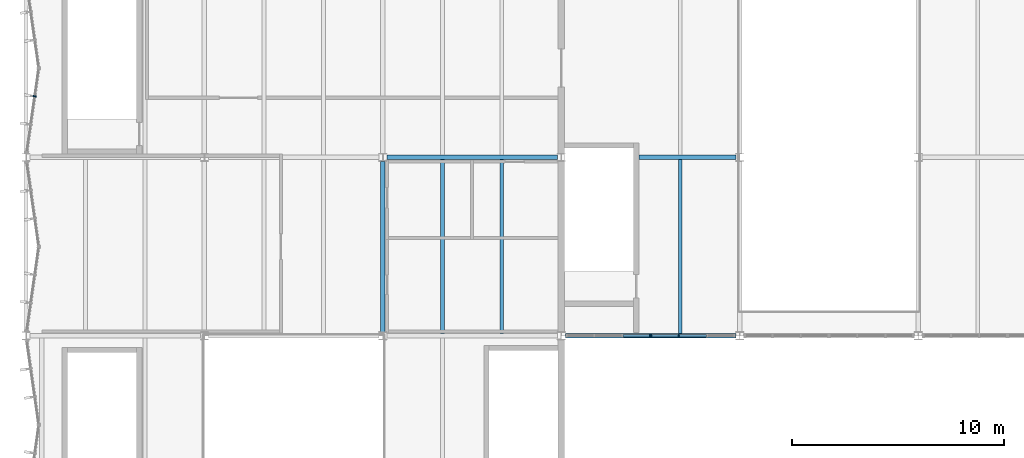
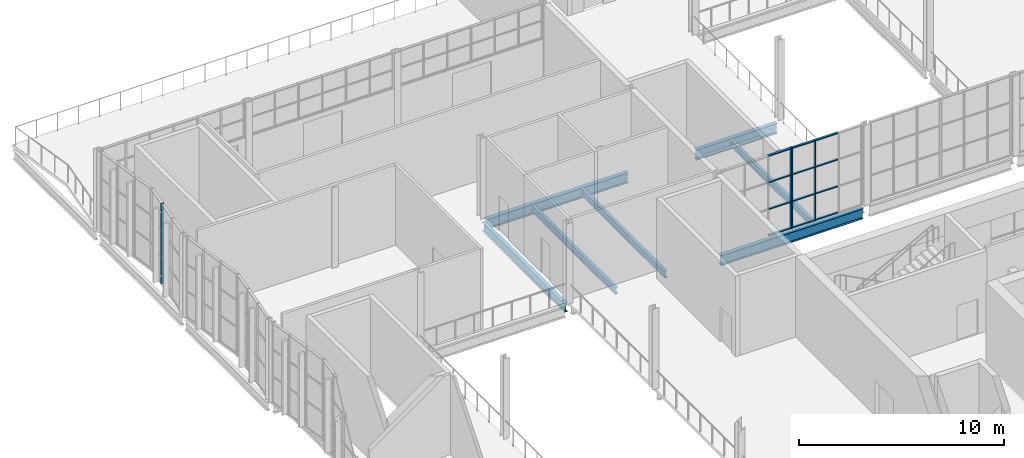
# One storey, part 37 of 116: 16 members, 7 beams, 3 elements without a shape of their own.
"""IFC4 building model written with IfcOpenShell, lengths in metres."""

from ifc_helpers import new_model, si_unit, direction, frame, origin, origin_2d, place, context, subcontext, project, spatial, rectangle, i_section, extrude, material, material_profile, profile_set, type_object, element, aggregate, save


model = new_model("IFC4")

# Units and contexts
model_context = context("Model", 3, precision=1e-05, world=origin(), true_north=direction((0.0, 1.0)))
body_context = subcontext(model_context, "Body", "Model", "MODEL_VIEW")
ifc_project = project(units=[si_unit("LENGTHUNIT", "METRE"), si_unit("AREAUNIT", "SQUARE_METRE"), si_unit("VOLUMEUNIT", "CUBIC_METRE"), si_unit("PLANEANGLEUNIT", "RADIAN"), si_unit("MASSUNIT", "GRAM", prefix="KILO")], contexts=[model_context])

# Site, building, storey
site_placement = place(None, origin())
site = spatial("IfcSite", under=ifc_project, at=site_placement, CompositionType="ELEMENT")
building_placement = place(site_placement, origin())
building = spatial("IfcBuilding", under=site, at=building_placement, Name="Ljudholm Concert House", CompositionType="ELEMENT")
storey_placement = place(building_placement, frame((0.0, 0.0, 10.199951171875)))
storey = spatial("IfcBuildingStorey", under=building, at=storey_placement, Name="L02", CompositionType="ELEMENT", Elevation=10.199951171875)

# Curtain wall, member
ifc_material_1 = material(Name="Aluminium curtain wall with impact-rated laminated glass", Category="aluminium")
curtain_wall_type = type_object("IfcCurtainWallType", Name="CURTAIN WALL 1400", PredefinedType="NOTDEFINED", material=ifc_material_1)
curtain_wall_1_placement = place(storey_placement, origin())
curtain_wall_1 = element("IfcCurtainWall", 1, at=curtain_wall_1_placement, inside=storey, type_object=curtain_wall_type, Name="Facade curtain wall", PredefinedType="NOTDEFINED")
ifc_material_2 = material(Name="Aluminium extrusion", Category="aluminium")
ifc_material_profile_1 = material_profile(ifc_material_2, rectangle(XDim=0.159912109375, YDim=0.06005859375, at=origin_2d()), Name="MULLION 60x160")
ifc_profile_set_1 = profile_set([ifc_material_profile_1], Name="Aluminium extrusion")
member_type_1 = type_object("IfcMemberType", Name="MULLION 60x160", PredefinedType="MULLION", material=ifc_profile_set_1)
member_1_placement = place(storey_placement, frame((4.410400390625, 116.072509765625, 0.0), z_axis=(0.0, 0.0, 1.0), x_axis=(-0.989949493647, 0.141421356338, 0.0)))
member_1 = element("IfcMember", 2, at=member_1_placement, type_object=member_type_1, Name="Mullion", PredefinedType="MULLION", context=body_context, shape_type="SweptSolid", body=[
    extrude(rectangle(XDim=0.159912109375, YDim=0.06005859375, at=origin_2d()), origin(), (0.0, 0.0, 1.0), 4.800048828125),
])
aggregate(curtain_wall_1, [member_1])

curtain_wall_2_placement = place(storey_placement, origin())
curtain_wall_2 = element("IfcCurtainWall", 3, at=curtain_wall_2_placement, inside=storey, type_object=curtain_wall_type, Name="Winter garden curtain wall", PredefinedType="NOTDEFINED")
member_2_placement = place(storey_placement, frame((33.3701171875, 104.800048828125, 0.0), z_axis=(0.0, 0.0, 1.0), x_axis=(0.0, 1.0, 0.0)))
member_2 = element("IfcMember", 4, at=member_2_placement, type_object=member_type_1, Name="Mullion", PredefinedType="MULLION", context=body_context, shape_type="SweptSolid", body=[
    extrude(rectangle(XDim=0.159912109375, YDim=0.06005859375, at=origin_2d()), origin(), (0.0, 0.0, 1.0), 4.800048828125),
])

# Curtain wall, members
curtain_wall_3_placement = place(storey_placement, origin())
curtain_wall_3 = element("IfcCurtainWall", 5, at=curtain_wall_3_placement, inside=storey, type_object=curtain_wall_type, Name="Winter garden curtain wall", PredefinedType="NOTDEFINED")
member_3_placement = place(storey_placement, frame((33.429931640625, 104.800048828125, 0.0), z_axis=(0.0, 0.0, 1.0), x_axis=(0.0, 1.0, 0.0)))
member_3 = element("IfcMember", 6, at=member_3_placement, type_object=member_type_1, Name="Mullion", PredefinedType="MULLION", context=body_context, shape_type="SweptSolid", body=[
    extrude(rectangle(XDim=0.159912109375, YDim=0.06005859375, at=origin_2d()), origin(), (0.0, 0.0, 1.0), 4.800048828125),
])
member_4_placement = place(storey_placement, frame((34.7265625, 104.800048828125, 0.0), z_axis=(0.0, 0.0, 1.0), x_axis=(0.0, 1.0, 0.0)))
member_4 = element("IfcMember", 7, at=member_4_placement, type_object=member_type_1, Name="Mullion", PredefinedType="MULLION", context=body_context, shape_type="SweptSolid", body=[
    extrude(rectangle(XDim=0.159912109375, YDim=0.06005859375, at=origin_2d()), origin(), (0.0, 0.0, 1.0), 4.800048828125),
])

# Beams
ifc_material_3 = material(Name="Steel ASTM A992", Category="steel")
ifc_material_profile_2 = material_profile(ifc_material_3, i_section(OverallWidth=0.177734375, OverallDepth=0.406494140625, WebThickness=0.0078125, FlangeThickness=0.012939453125, FilletRadius=0.01025390625, at=origin_2d()), Name="W16X40")
ifc_profile_set_2 = profile_set([ifc_material_profile_2], Name="Steel ASTM A992")
beam_type_1 = type_object("IfcBeamType", Name="STEEL BEAM W16X40", PredefinedType="BEAM", material=ifc_profile_set_2)
for number, where, z_axis, x_axis, name in (
    (8, (23.60009765625, 104.91455078125, -0.383056640625), (0.0, 1.0, 0.0), (-1.0, 0.0, 0.0), "Secondary beam"),
    (9, (26.39990234375, 104.91455078125, -0.383056640625), (0.0, 1.0, 0.0), (-1.0, 0.0, 0.0), "Secondary beam"),
    (10, (34.800048828125, 104.91455078125, -0.383056640625), (0.0, 1.0, 0.0), (-1.0, 0.0, 0.0), "Secondary beam"),
):
    element("IfcBeam", number, at=place(storey_placement, frame(where, z_axis=z_axis, x_axis=x_axis)), inside=storey, type_object=beam_type_1, Name=name, PredefinedType="BEAM", context=body_context, shape_type="SweptSolid", body=[
        extrude(i_section(OverallWidth=0.177734375, OverallDepth=0.406494140625, WebThickness=0.0078125, FlangeThickness=0.012939453125, FilletRadius=0.01025390625, at=origin_2d()), origin(), (0.0, 0.0, 1.0), 8.1708984375),
    ])
ifc_material_4 = material(Name="Steel ASTM A992", Category="steel")
ifc_material_profile_3 = material_profile(ifc_material_4, i_section(OverallWidth=0.209228515625, OverallDepth=0.533447265625, WebThickness=0.01025390625, FlangeThickness=0.015625, FilletRadius=0.012939453125, at=origin_2d()), Name="W21X62")
ifc_profile_set_3 = profile_set([ifc_material_profile_3], Name="Steel ASTM A992")
beam_type_2 = type_object("IfcBeamType", Name="STEEL BEAM W21X62", PredefinedType="BEAM", material=ifc_profile_set_3)
beam_1_placement = place(storey_placement, frame((20.800048828125, 104.986572265625, -0.446533203125), z_axis=(0.0, 1.0, 0.0), x_axis=(-1.0, 0.0, 0.0)))
element("IfcBeam", 11, at=beam_1_placement, inside=storey, type_object=beam_type_2, Name="Floor edge beam", PredefinedType="BEAM", context=body_context, shape_type="SweptSolid", body=[
    extrude(i_section(OverallWidth=0.209228515625, OverallDepth=0.533447265625, WebThickness=0.01025390625, FlangeThickness=0.015625, FilletRadius=0.012939453125, at=origin_2d()), origin(), (0.0, 0.0, 1.0), 8.02685546875),
])
ifc_material_5 = material(Name="Steel ASTM A992", Category="steel")
ifc_material_profile_4 = material_profile(ifc_material_5, i_section(OverallWidth=0.22900390625, OverallDepth=0.612060546875, WebThickness=0.011962890625, FlangeThickness=0.01953125, FilletRadius=0.0126953125, at=origin_2d()), Name="W24X84")
ifc_profile_set_4 = profile_set([ifc_material_profile_4], Name="Steel ASTM A992")
beam_type_3 = type_object("IfcBeamType", Name="STEEL BEAM W24X84", PredefinedType="BEAM", material=ifc_profile_set_4)
beam_2_placement = place(storey_placement, frame((20.986572265625, 113.199951171875, -0.486083984375), z_axis=(1.0, 0.0, 0.0), x_axis=(0.0, 1.0, 0.0)))
element("IfcBeam", 12, at=beam_2_placement, inside=storey, type_object=beam_type_3, Name="Floor girder", PredefinedType="BEAM", context=body_context, shape_type="SweptSolid", body=[
    extrude(i_section(OverallWidth=0.22900390625, OverallDepth=0.612060546875, WebThickness=0.011962890625, FlangeThickness=0.01953125, FilletRadius=0.0126953125, at=origin_2d()), origin(), (0.0, 0.0, 1.0), 8.02685546875),
])
beam_3_placement = place(storey_placement, frame((29.38671875, 104.800048828125, -0.486083984375), z_axis=(1.0, 0.0, 0.0), x_axis=(0.0, 1.0, 0.0)))
element("IfcBeam", 13, at=beam_3_placement, inside=storey, type_object=beam_type_3, Name="Floor girder", PredefinedType="BEAM", context=body_context, shape_type="SweptSolid", body=[
    extrude(i_section(OverallWidth=0.22900390625, OverallDepth=0.612060546875, WebThickness=0.011962890625, FlangeThickness=0.01953125, FilletRadius=0.0126953125, at=origin_2d()), origin(), (0.0, 0.0, 1.0), 8.026611328125),
])
beam_4_placement = place(storey_placement, frame((32.85009765625, 113.199951171875, -0.486083984375), z_axis=(1.0, 0.0, 0.0), x_axis=(0.0, 1.0, 0.0)))
element("IfcBeam", 14, at=beam_4_placement, inside=storey, type_object=beam_type_3, Name="Floor girder", PredefinedType="BEAM", context=body_context, shape_type="SweptSolid", body=[
    extrude(i_section(OverallWidth=0.22900390625, OverallDepth=0.612060546875, WebThickness=0.011962890625, FlangeThickness=0.01953125, FilletRadius=0.0126953125, at=origin_2d()), origin(), (0.0, 0.0, 1.0), 4.563232421875),
])

# Member
ifc_material_6 = material(Name="Aluminium extrusion", Category="aluminium")
ifc_material_profile_5 = material_profile(ifc_material_6, rectangle(XDim=0.1201171875, YDim=0.06005859375, at=origin_2d()), Name="TRANSOM 60x120")
ifc_profile_set_5 = profile_set([ifc_material_profile_5], Name="Aluminium extrusion")
member_type_2 = type_object("IfcMemberType", Name="TRANSOM 60x120", PredefinedType="USERDEFINED", material=ifc_profile_set_5)
member_5_placement = place(storey_placement, frame((32.103271484375, 104.800048828125, 0.030029296875), z_axis=(1.0, 0.0, 0.0), x_axis=(0.0, 1.0, 0.0)))
member_5 = element("IfcMember", 15, at=member_5_placement, type_object=member_type_2, Name="Transom", ObjectType="TRANSOM", PredefinedType="USERDEFINED", context=body_context, shape_type="SweptSolid", body=[
    extrude(rectangle(XDim=0.1201171875, YDim=0.06005859375, at=origin_2d()), origin(), (0.0, 0.0, 1.0), 1.23681640625),
])

member_6_placement = place(storey_placement, frame((32.103271484375, 104.800048828125, 1.60009765625), z_axis=(1.0, 0.0, 0.0), x_axis=(0.0, 1.0, 0.0)))
member_6 = element("IfcMember", 16, at=member_6_placement, type_object=member_type_2, Name="Transom", ObjectType="TRANSOM", PredefinedType="USERDEFINED", context=body_context, shape_type="SweptSolid", body=[
    extrude(rectangle(XDim=0.1201171875, YDim=0.06005859375, at=origin_2d()), origin(), (0.0, 0.0, 1.0), 1.23681640625),
])

member_7_placement = place(storey_placement, frame((32.103271484375, 104.800048828125, 3.199951171875), z_axis=(1.0, 0.0, 0.0), x_axis=(0.0, 1.0, 0.0)))
member_7 = element("IfcMember", 17, at=member_7_placement, type_object=member_type_2, Name="Transom", ObjectType="TRANSOM", PredefinedType="USERDEFINED", context=body_context, shape_type="SweptSolid", body=[
    extrude(rectangle(XDim=0.1201171875, YDim=0.06005859375, at=origin_2d()), origin(), (0.0, 0.0, 1.0), 1.23681640625),
])

member_8_placement = place(storey_placement, frame((32.103271484375, 104.800048828125, 4.77001953125), z_axis=(1.0, 0.0, 0.0), x_axis=(0.0, 1.0, 0.0)))
member_8 = element("IfcMember", 18, at=member_8_placement, type_object=member_type_2, Name="Transom", ObjectType="TRANSOM", PredefinedType="USERDEFINED", context=body_context, shape_type="SweptSolid", body=[
    extrude(rectangle(XDim=0.1201171875, YDim=0.06005859375, at=origin_2d()), origin(), (0.0, 0.0, 1.0), 1.23681640625),
])

aggregate(curtain_wall_2, [member_2, member_5, member_6, member_7, member_8])

member_9_placement = place(storey_placement, frame((33.4599609375, 104.800048828125, 0.030029296875), z_axis=(1.0, 0.0, 0.0), x_axis=(0.0, 1.0, 0.0)))
member_9 = element("IfcMember", 19, at=member_9_placement, type_object=member_type_2, Name="Transom", ObjectType="TRANSOM", PredefinedType="USERDEFINED", context=body_context, shape_type="SweptSolid", body=[
    extrude(rectangle(XDim=0.1201171875, YDim=0.06005859375, at=origin_2d()), origin(), (0.0, 0.0, 1.0), 1.23681640625),
])

member_10_placement = place(storey_placement, frame((33.4599609375, 104.800048828125, 1.60009765625), z_axis=(1.0, 0.0, 0.0), x_axis=(0.0, 1.0, 0.0)))
member_10 = element("IfcMember", 20, at=member_10_placement, type_object=member_type_2, Name="Transom", ObjectType="TRANSOM", PredefinedType="USERDEFINED", context=body_context, shape_type="SweptSolid", body=[
    extrude(rectangle(XDim=0.1201171875, YDim=0.06005859375, at=origin_2d()), origin(), (0.0, 0.0, 1.0), 1.23681640625),
])

member_11_placement = place(storey_placement, frame((33.4599609375, 104.800048828125, 3.199951171875), z_axis=(1.0, 0.0, 0.0), x_axis=(0.0, 1.0, 0.0)))
member_11 = element("IfcMember", 21, at=member_11_placement, type_object=member_type_2, Name="Transom", ObjectType="TRANSOM", PredefinedType="USERDEFINED", context=body_context, shape_type="SweptSolid", body=[
    extrude(rectangle(XDim=0.1201171875, YDim=0.06005859375, at=origin_2d()), origin(), (0.0, 0.0, 1.0), 1.23681640625),
])

member_12_placement = place(storey_placement, frame((33.4599609375, 104.800048828125, 4.77001953125), z_axis=(1.0, 0.0, 0.0), x_axis=(0.0, 1.0, 0.0)))
member_12 = element("IfcMember", 22, at=member_12_placement, type_object=member_type_2, Name="Transom", ObjectType="TRANSOM", PredefinedType="USERDEFINED", context=body_context, shape_type="SweptSolid", body=[
    extrude(rectangle(XDim=0.1201171875, YDim=0.06005859375, at=origin_2d()), origin(), (0.0, 0.0, 1.0), 1.23681640625),
])

member_13_placement = place(storey_placement, frame((34.756591796875, 104.800048828125, 0.030029296875), z_axis=(1.0, 0.0, 0.0), x_axis=(0.0, 1.0, 0.0)))
member_13 = element("IfcMember", 23, at=member_13_placement, type_object=member_type_2, Name="Transom", ObjectType="TRANSOM", PredefinedType="USERDEFINED", context=body_context, shape_type="SweptSolid", body=[
    extrude(rectangle(XDim=0.1201171875, YDim=0.06005859375, at=origin_2d()), origin(), (0.0, 0.0, 1.0), 1.266845703125),
])

member_14_placement = place(storey_placement, frame((34.756591796875, 104.800048828125, 1.60009765625), z_axis=(1.0, 0.0, 0.0), x_axis=(0.0, 1.0, 0.0)))
member_14 = element("IfcMember", 24, at=member_14_placement, type_object=member_type_2, Name="Transom", ObjectType="TRANSOM", PredefinedType="USERDEFINED", context=body_context, shape_type="SweptSolid", body=[
    extrude(rectangle(XDim=0.1201171875, YDim=0.06005859375, at=origin_2d()), origin(), (0.0, 0.0, 1.0), 1.266845703125),
])

member_15_placement = place(storey_placement, frame((34.756591796875, 104.800048828125, 3.199951171875), z_axis=(1.0, 0.0, 0.0), x_axis=(0.0, 1.0, 0.0)))
member_15 = element("IfcMember", 25, at=member_15_placement, type_object=member_type_2, Name="Transom", ObjectType="TRANSOM", PredefinedType="USERDEFINED", context=body_context, shape_type="SweptSolid", body=[
    extrude(rectangle(XDim=0.1201171875, YDim=0.06005859375, at=origin_2d()), origin(), (0.0, 0.0, 1.0), 1.266845703125),
])

member_16_placement = place(storey_placement, frame((34.756591796875, 104.800048828125, 4.77001953125), z_axis=(1.0, 0.0, 0.0), x_axis=(0.0, 1.0, 0.0)))
member_16 = element("IfcMember", 26, at=member_16_placement, type_object=member_type_2, Name="Transom", ObjectType="TRANSOM", PredefinedType="USERDEFINED", context=body_context, shape_type="SweptSolid", body=[
    extrude(rectangle(XDim=0.1201171875, YDim=0.06005859375, at=origin_2d()), origin(), (0.0, 0.0, 1.0), 1.266845703125),
])

aggregate(curtain_wall_3, [member_3, member_4, member_9, member_10, member_11, member_12, member_13, member_14, member_15, member_16])

save(model, "model.ifc")
